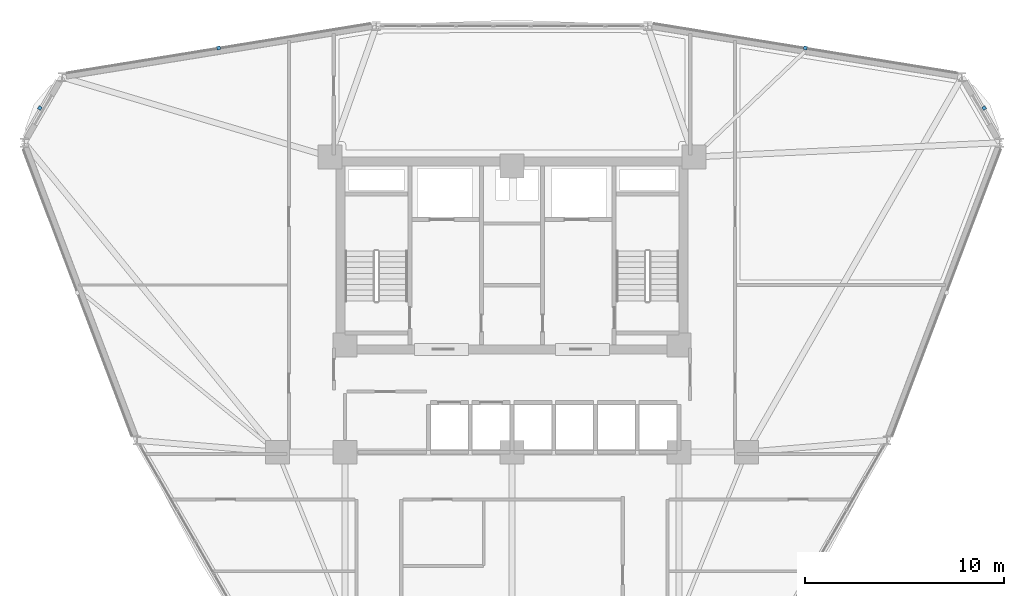
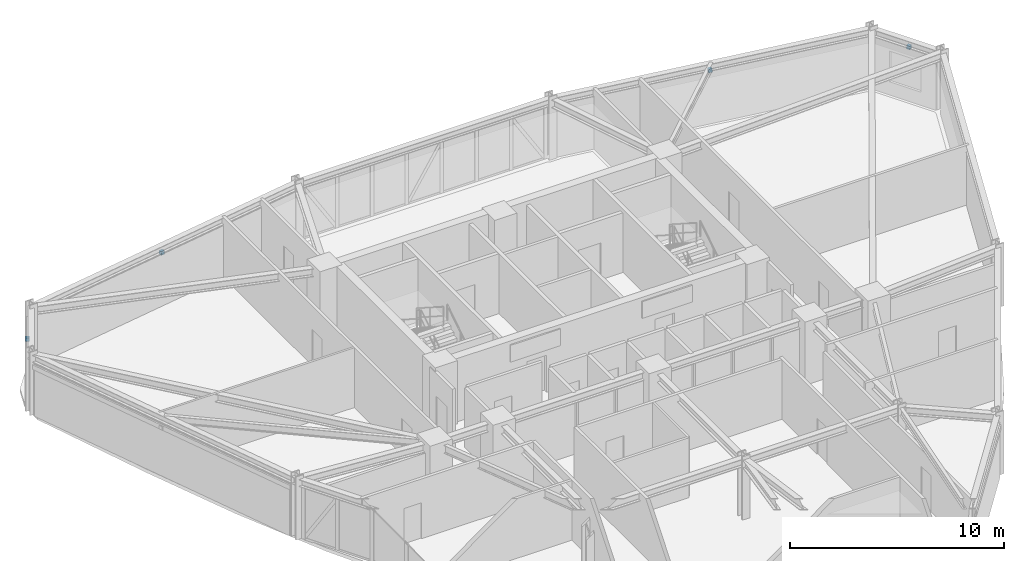
# One storey, part 13 of 17: 4 discrete accessories.
"""IFC4 building model written with IfcOpenShell, lengths in metres."""

from ifc_helpers import new_model, si_unit, derived_unit, direction, frame, origin, origin_2d, place, context, subcontext, project, spatial, rectangle, extrude, source, transform, mapped, material, type_object, element, save


model = new_model("IFC4")

# Units and contexts
model_context = context("Model", 3, precision=1e-05, world=origin(), true_north=direction((0.0, 1.0)))
body_context = subcontext(model_context, "Body", "Model", "MODEL_VIEW")
ifc_project = project(units=[si_unit("LENGTHUNIT", "METRE"), si_unit("AREAUNIT", "SQUARE_METRE"), si_unit("VOLUMEUNIT", "CUBIC_METRE"), si_unit("PLANEANGLEUNIT", "RADIAN"), si_unit("MASSUNIT", "GRAM", prefix="KILO"), derived_unit("THERMALTRANSMITTANCEUNIT", [(si_unit("POWERUNIT", "WATT"), 1), (si_unit("LENGTHUNIT", "METRE"), -2), (si_unit("THERMODYNAMICTEMPERATUREUNIT", "KELVIN"), -1)])], contexts=[model_context])

# Site, building, storey
site_placement = place(None, origin())
site = spatial("IfcSite", under=ifc_project, at=site_placement, CompositionType="ELEMENT")
building_placement = place(site_placement, origin())
building = spatial("IfcBuilding", under=site, at=building_placement, Name="Korsvarv Bourse and Concert Hall", CompositionType="ELEMENT")
storey_placement = place(building_placement, frame((0.0, 0.0, 124.199951171875)))
storey = spatial("IfcBuildingStorey", under=building, at=storey_placement, Name="L31", CompositionType="ELEMENT", Elevation=124.199951171875)

# Discrete accessories
ifc_material = material(Name="Stainless Steel S355 facade outrigger bracket", Category="steel")
discrete_accessory_type = type_object("IfcDiscreteAccessoryType", Name="ACC-BRK-1", PredefinedType="BRACKET", material=ifc_material)
shared_shape = source(origin(), body_context, "Body", "SweptSolid", [
    extrude(rectangle(XDim=0.179931640625, YDim=0.179931640625, at=origin_2d()), origin(), (0.0, 0.0, 1.0), 0.199951171875),
])
for number, where, z_axis, x_axis, name in (
    (1, (59.752197265625, 49.71337890625, 2.740234375), (0.0, 0.0, 1.0), (-0.5, 0.866025403784, 0.0), "L31 terracotta sunshade bracket EW-L31-B01"),
    (2, (50.759033203125, 52.733642578125, 2.740234375), (0.0, 0.0, 1.0), (-0.987024406397, 0.160570299793, 0.0), "L31 terracotta sunshade bracket EW-L31-B02"),
    (3, (21.240966796875, 52.733642578125, 2.68994140625), (0.0, 0.0, 1.0), (-0.987024406397, -0.160570299793, 0.0), "L31 terracotta sunshade bracket EW-L31-B04"),
    (4, (12.247802734375, 49.71337890625, 2.740234375), (0.0, 0.0, 1.0), (-0.5, -0.866025403784, 0.0), "L31 terracotta sunshade bracket EW-L31-B05"),
):
    element("IfcDiscreteAccessory", number, at=place(storey_placement, frame(where, z_axis=z_axis, x_axis=x_axis)), inside=storey, type_object=discrete_accessory_type, Name=name, PredefinedType="BRACKET", context=body_context, shape_type="MappedRepresentation", body=[
        mapped(shared_shape, transform((0.0, 0.0, 0.0), scale=1.0)),
    ])

save(model, "model.ifc")
